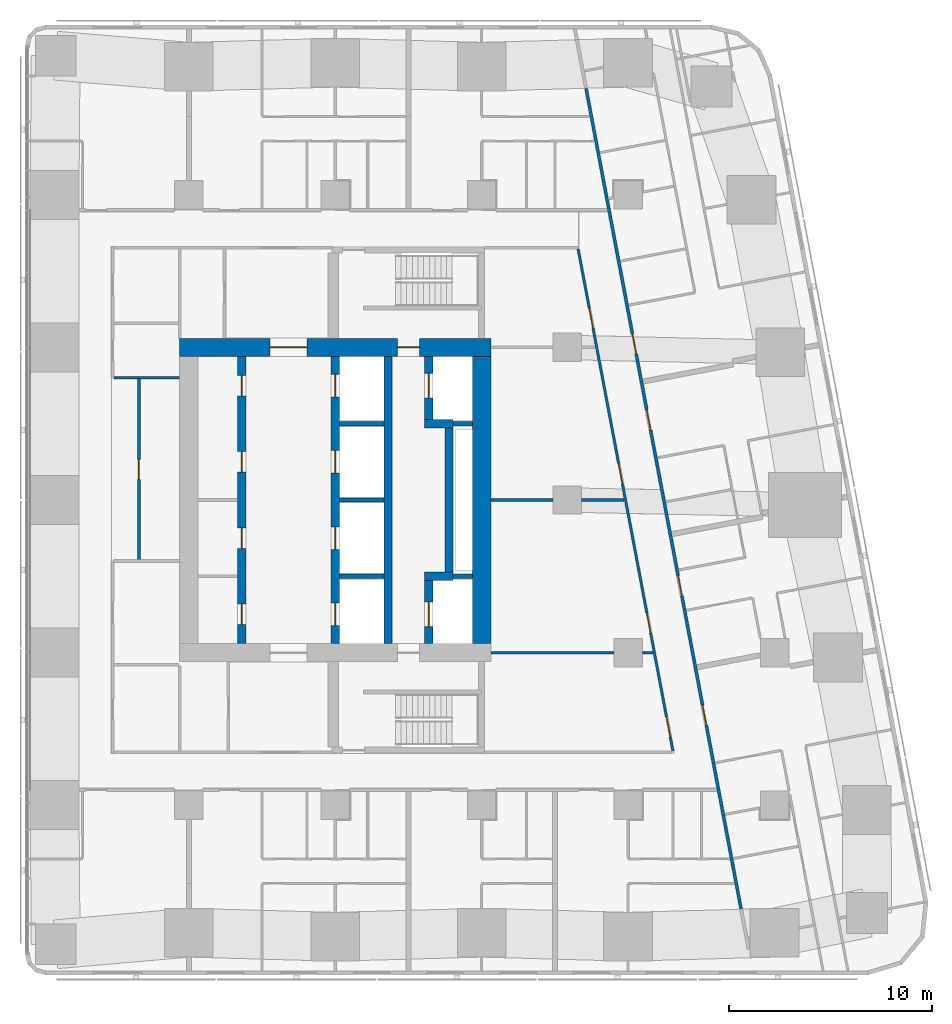
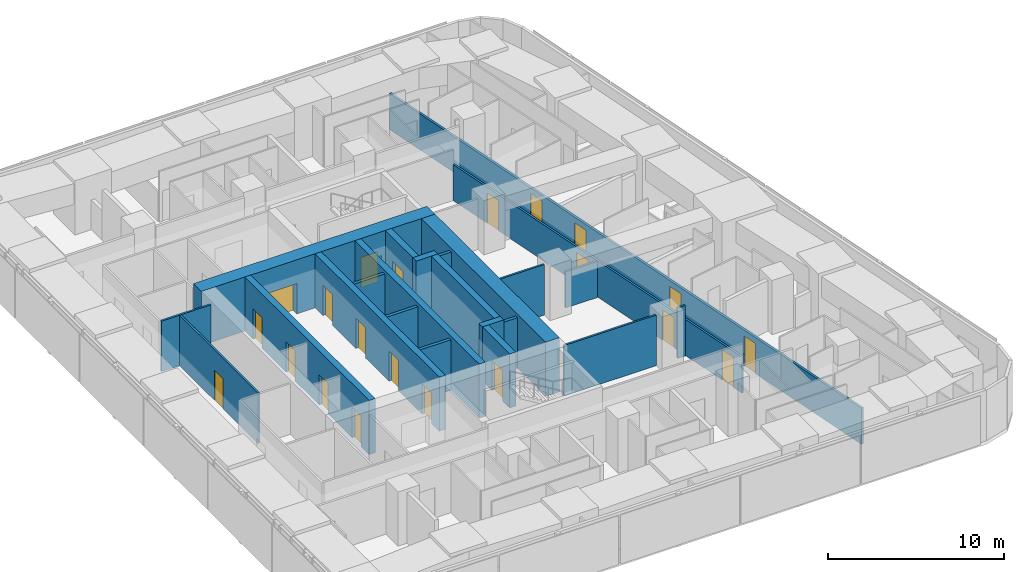
# One storey, part 12 of 19: 23 walls, 21 doors, 21 openings.
"""IFC4 building model written with IfcOpenShell, lengths in metres."""

from ifc_helpers import new_model, si_unit, direction, frame, frame_2d, origin, place, context, subcontext, project, spatial, rectangle, extrude, material, layer, layer_set, type_object, element, fill, save


model = new_model("IFC4")

# Units and contexts
model_context = context("Model", 3, precision=1e-05, world=origin(), true_north=direction((0.0, 1.0)))
body_context = subcontext(model_context, "Body", "Model", "MODEL_VIEW")
ifc_project = project(units=[si_unit("LENGTHUNIT", "METRE"), si_unit("AREAUNIT", "SQUARE_METRE"), si_unit("VOLUMEUNIT", "CUBIC_METRE"), si_unit("PLANEANGLEUNIT", "RADIAN"), si_unit("MASSUNIT", "GRAM", prefix="KILO")], contexts=[model_context])

# Site, building, storey
site_placement = place(None, origin())
site = spatial("IfcSite", under=ifc_project, at=site_placement, CompositionType="ELEMENT")
building_placement = place(site_placement, origin())
building = spatial("IfcBuilding", under=site, at=building_placement, Name="Sheger Commons Tower", CompositionType="ELEMENT")
storey_placement = place(building_placement, frame((0.0, 0.0, 216.199951171875)))
storey = spatial("IfcBuildingStorey", under=building, at=storey_placement, Name="L55", CompositionType="ELEMENT", Elevation=216.199951171875)

# Wall, openings, doors
ifc_material_1 = material(Name="Concrete C50/60", Category="concrete")
ifc_layer_1 = layer(ifc_material_1, 0.39990234375)
ifc_layer_set_1 = layer_set([ifc_layer_1], Name="CORE INNER WALL 400")
wall_type_1 = type_object("IfcWallType", Name="CORE INNER WALL 400", PredefinedType="SHEAR", material=ifc_layer_set_1)
wall_1_placement = place(storey_placement, frame((17.0, 15.449951171875, 0.0), z_axis=(0.0, 0.0, 1.0), x_axis=(0.0, 1.0, 0.0)))
wall_1 = element("IfcWall", 1, at=wall_1_placement, inside=storey, type_object=wall_type_1, Name="Core inner wall A L55", PredefinedType="SHEAR", context=body_context, shape_type="SweptSolid", body=[
    extrude(rectangle(XDim=14.10009765625, YDim=0.39990234375, at=frame_2d((7.050048828125, 0.0))), origin(), (0.0, 0.0, 1.0), 3.75),
])
opening_1_placement = place(wall_1_placement, frame((0.925048828125, 0.0, 0.0)))
opening_1 = element("IfcOpeningElement", 2, at=opening_1_placement, cuts=wall_1, Name="Opening D4", PredefinedType="OPENING", context=body_context, shape_type="SweptSolid", body=[
    extrude(rectangle(XDim=1.0, YDim=2.10009765625, at=frame_2d((0.5, 1.050048828125))), frame((0.0, 0.2099609375, 0.0), z_axis=(0.0, -1.0, 0.0), x_axis=(1.0, 0.0, 0.0)), (0.0, 0.0, 1.0), 0.419921875),
])
opening_2_placement = place(wall_1_placement, frame((4.675048828125, 0.0, 0.0)))
opening_2 = element("IfcOpeningElement", 3, at=opening_2_placement, cuts=wall_1, Name="Opening D4", PredefinedType="OPENING", context=body_context, shape_type="SweptSolid", body=[
    extrude(rectangle(XDim=1.0, YDim=2.10009765625, at=frame_2d((0.5, 1.050048828125))), frame((0.0, 0.2099609375, 0.0), z_axis=(0.0, -1.0, 0.0), x_axis=(1.0, 0.0, 0.0)), (0.0, 0.0, 1.0), 0.419921875),
])
opening_3_placement = place(wall_1_placement, frame((8.425048828125, 0.0, 0.0)))
opening_3 = element("IfcOpeningElement", 4, at=opening_3_placement, cuts=wall_1, Name="Opening D4", PredefinedType="OPENING", context=body_context, shape_type="SweptSolid", body=[
    extrude(rectangle(XDim=1.0, YDim=2.10009765625, at=frame_2d((0.5, 1.050048828125))), frame((0.0, 0.2099609375, 0.0), z_axis=(0.0, -1.0, 0.0), x_axis=(1.0, 0.0, 0.0)), (0.0, 0.0, 1.0), 0.419921875),
])
opening_4_placement = place(wall_1_placement, frame((12.175048828125, 0.0, 0.0)))
opening_4 = element("IfcOpeningElement", 5, at=opening_4_placement, cuts=wall_1, Name="Opening D4", PredefinedType="OPENING", context=body_context, shape_type="SweptSolid", body=[
    extrude(rectangle(XDim=1.0, YDim=2.10009765625, at=frame_2d((0.5, 1.050048828125))), frame((0.0, 0.2099609375, 0.0), z_axis=(0.0, -1.0, 0.0), x_axis=(1.0, 0.0, 0.0)), (0.0, 0.0, 1.0), 0.419921875),
])
ifc_material_2 = material(Name="Steel door set, fire rated", Category="steel")
door_type_1 = type_object("IfcDoorType", Name="SERVICE DOOR 1000x2100", OperationType="NOTDEFINED", PredefinedType="DOOR", material=ifc_material_2)
door_1_placement = place(opening_1_placement, origin())
door_1 = element("IfcDoor", 6, at=door_1_placement, inside=storey, type_object=door_type_1, Name="Staff WC door", OperationType="SINGLE_SWING_LEFT", OverallHeight=2.10009765625, OverallWidth=1.0, PredefinedType="DOOR", context=body_context, shape_type="SweptSolid", body=[
    extrude(rectangle(XDim=1.0, YDim=2.10009765625, at=frame_2d((0.5, 1.050048828125))), frame((0.0, 0.02490234375, 0.0), z_axis=(0.0, -1.0, 0.0), x_axis=(1.0, 0.0, 0.0)), (0.0, 0.0, 1.0), 0.050048828125),
])
fill(opening_1, door_1)
door_2_placement = place(opening_2_placement, origin())
door_2 = element("IfcDoor", 7, at=door_2_placement, inside=storey, type_object=door_type_1, Name="Cleaner's store door", OperationType="SINGLE_SWING_LEFT", OverallHeight=2.10009765625, OverallWidth=1.0, PredefinedType="DOOR", context=body_context, shape_type="SweptSolid", body=[
    extrude(rectangle(XDim=1.0, YDim=2.10009765625, at=frame_2d((0.5, 1.050048828125))), frame((0.0, 0.02490234375, 0.0), z_axis=(0.0, -1.0, 0.0), x_axis=(1.0, 0.0, 0.0)), (0.0, 0.0, 1.0), 0.050048828125),
])
fill(opening_2, door_2)
door_3_placement = place(opening_3_placement, origin())
door_3 = element("IfcDoor", 8, at=door_3_placement, inside=storey, type_object=door_type_1, Name="Linen and housekeeping store door", OperationType="SINGLE_SWING_LEFT", OverallHeight=2.10009765625, OverallWidth=1.0, PredefinedType="DOOR", context=body_context, shape_type="SweptSolid", body=[
    extrude(rectangle(XDim=1.0, YDim=2.10009765625, at=frame_2d((0.5, 1.050048828125))), frame((0.0, 0.02490234375, 0.0), z_axis=(0.0, -1.0, 0.0), x_axis=(1.0, 0.0, 0.0)), (0.0, 0.0, 1.0), 0.050048828125),
])
fill(opening_3, door_3)
door_4_placement = place(opening_4_placement, origin())
door_4 = element("IfcDoor", 9, at=door_4_placement, inside=storey, type_object=door_type_1, Name="Linen and housekeeping store door", OperationType="SINGLE_SWING_RIGHT", OverallHeight=2.10009765625, OverallWidth=1.0, PredefinedType="DOOR", context=body_context, shape_type="SweptSolid", body=[
    extrude(rectangle(XDim=1.0, YDim=2.10009765625, at=frame_2d((0.5, 1.050048828125))), frame((0.0, 0.02490234375, 0.0), z_axis=(0.0, -1.0, 0.0), x_axis=(1.0, 0.0, 0.0)), (0.0, 0.0, 1.0), 0.050048828125),
])
fill(opening_4, door_4)

wall_2_placement = place(storey_placement, frame((21.60009765625, 15.449951171875, 0.0), z_axis=(0.0, 0.0, 1.0), x_axis=(0.0, 1.0, 0.0)))
wall_2 = element("IfcWall", 10, at=wall_2_placement, inside=storey, type_object=wall_type_1, Name="Core inner wall L L55", PredefinedType="SHEAR", context=body_context, shape_type="SweptSolid", body=[
    extrude(rectangle(XDim=14.10009765625, YDim=0.39990234375, at=frame_2d((7.050048828125, 0.0))), origin(), (0.0, 0.0, 1.0), 3.75),
])
opening_5_placement = place(wall_2_placement, frame((0.875, 0.0, 0.0)))
opening_5 = element("IfcOpeningElement", 11, at=opening_5_placement, cuts=wall_2, Name="Opening LD", PredefinedType="OPENING", context=body_context, shape_type="SweptSolid", body=[
    extrude(rectangle(XDim=1.10009765625, YDim=2.10009765625, at=frame_2d((0.550048828125, 1.050048828125))), frame((0.0, 0.2099609375, 0.0), z_axis=(0.0, -1.0, 0.0), x_axis=(1.0, 0.0, 0.0)), (0.0, 0.0, 1.0), 0.419921875),
])
opening_6_placement = place(wall_2_placement, frame((4.625, 0.0, 0.0)))
opening_6 = element("IfcOpeningElement", 12, at=opening_6_placement, cuts=wall_2, Name="Opening LD", PredefinedType="OPENING", context=body_context, shape_type="SweptSolid", body=[
    extrude(rectangle(XDim=1.10009765625, YDim=2.10009765625, at=frame_2d((0.550048828125, 1.050048828125))), frame((0.0, 0.2099609375, 0.0), z_axis=(0.0, -1.0, 0.0), x_axis=(1.0, 0.0, 0.0)), (0.0, 0.0, 1.0), 0.419921875),
])
opening_7_placement = place(wall_2_placement, frame((8.375, 0.0, 0.0)))
opening_7 = element("IfcOpeningElement", 13, at=opening_7_placement, cuts=wall_2, Name="Opening LD", PredefinedType="OPENING", context=body_context, shape_type="SweptSolid", body=[
    extrude(rectangle(XDim=1.10009765625, YDim=2.10009765625, at=frame_2d((0.550048828125, 1.050048828125))), frame((0.0, 0.2099609375, 0.0), z_axis=(0.0, -1.0, 0.0), x_axis=(1.0, 0.0, 0.0)), (0.0, 0.0, 1.0), 0.419921875),
])
opening_8_placement = place(wall_2_placement, frame((12.125, 0.0, 0.0)))
opening_8 = element("IfcOpeningElement", 14, at=opening_8_placement, cuts=wall_2, Name="Opening LD", PredefinedType="OPENING", context=body_context, shape_type="SweptSolid", body=[
    extrude(rectangle(XDim=1.10009765625, YDim=2.10009765625, at=frame_2d((0.550048828125, 1.050048828125))), frame((0.0, 0.2099609375, 0.0), z_axis=(0.0, -1.0, 0.0), x_axis=(1.0, 0.0, 0.0)), (0.0, 0.0, 1.0), 0.419921875),
])
ifc_material_3 = material(Name="Steel door set, fire rated", Category="steel")
door_type_2 = type_object("IfcDoorType", Name="LIFT LANDING DOOR 1100x2100", OperationType="DOUBLE_DOOR_SLIDING", PredefinedType="DOOR", material=ifc_material_3)
door_5_placement = place(opening_5_placement, origin())
door_5 = element("IfcDoor", 15, at=door_5_placement, inside=storey, type_object=door_type_2, Name="Lift LB1 landing door", OperationType="DOUBLE_DOOR_SLIDING", OverallHeight=2.10009765625, OverallWidth=1.10009765625, PredefinedType="DOOR", context=body_context, shape_type="SweptSolid", body=[
    extrude(rectangle(XDim=1.10009765625, YDim=2.10009765625, at=frame_2d((0.550048828125, 1.050048828125))), frame((0.0, 0.02490234375, 0.0), z_axis=(0.0, -1.0, 0.0), x_axis=(1.0, 0.0, 0.0)), (0.0, 0.0, 1.0), 0.050048828125),
])
fill(opening_5, door_5)
door_6_placement = place(opening_6_placement, origin())
door_6 = element("IfcDoor", 16, at=door_6_placement, inside=storey, type_object=door_type_2, Name="Lift LB2 landing door", OperationType="DOUBLE_DOOR_SLIDING", OverallHeight=2.10009765625, OverallWidth=1.10009765625, PredefinedType="DOOR", context=body_context, shape_type="SweptSolid", body=[
    extrude(rectangle(XDim=1.10009765625, YDim=2.10009765625, at=frame_2d((0.550048828125, 1.050048828125))), frame((0.0, 0.02490234375, 0.0), z_axis=(0.0, -1.0, 0.0), x_axis=(1.0, 0.0, 0.0)), (0.0, 0.0, 1.0), 0.050048828125),
])
fill(opening_6, door_6)
door_7_placement = place(opening_7_placement, origin())
door_7 = element("IfcDoor", 17, at=door_7_placement, inside=storey, type_object=door_type_2, Name="Lift LB3 landing door", OperationType="DOUBLE_DOOR_SLIDING", OverallHeight=2.10009765625, OverallWidth=1.10009765625, PredefinedType="DOOR", context=body_context, shape_type="SweptSolid", body=[
    extrude(rectangle(XDim=1.10009765625, YDim=2.10009765625, at=frame_2d((0.550048828125, 1.050048828125))), frame((0.0, 0.02490234375, 0.0), z_axis=(0.0, -1.0, 0.0), x_axis=(1.0, 0.0, 0.0)), (0.0, 0.0, 1.0), 0.050048828125),
])
fill(opening_7, door_7)
door_8_placement = place(opening_8_placement, origin())
door_8 = element("IfcDoor", 18, at=door_8_placement, inside=storey, type_object=door_type_2, Name="Lift LB4 landing door", OperationType="DOUBLE_DOOR_SLIDING", OverallHeight=2.10009765625, OverallWidth=1.10009765625, PredefinedType="DOOR", context=body_context, shape_type="SweptSolid", body=[
    extrude(rectangle(XDim=1.10009765625, YDim=2.10009765625, at=frame_2d((0.550048828125, 1.050048828125))), frame((0.0, 0.02490234375, 0.0), z_axis=(0.0, -1.0, 0.0), x_axis=(1.0, 0.0, 0.0)), (0.0, 0.0, 1.0), 0.050048828125),
])
fill(opening_8, door_8)

# Wall
wall_3_placement = place(storey_placement, frame((24.199951171875, 15.449951171875, 0.0), z_axis=(0.0, 0.0, 1.0), x_axis=(0.0, 1.0, 0.0)))
element("IfcWall", 19, at=wall_3_placement, inside=storey, type_object=wall_type_1, Name="Core inner wall B L55", PredefinedType="SHEAR", context=body_context, shape_type="SweptSolid", body=[
    extrude(rectangle(XDim=14.10009765625, YDim=0.39990234375, at=frame_2d((7.050048828125, 0.0))), origin(), (0.0, 0.0, 1.0), 3.75),
])

# Wall, opening, door
wall_4_placement = place(storey_placement, frame((26.199951171875, 15.449951171875, 0.0), z_axis=(0.0, 0.0, 1.0), x_axis=(0.0, 1.0, 0.0)))
wall_4 = element("IfcWall", 20, at=wall_4_placement, inside=storey, type_object=wall_type_1, Name="Core inner wall F L55", PredefinedType="SHEAR", context=body_context, shape_type="SweptSolid", body=[
    extrude(rectangle(XDim=3.10009765625, YDim=0.39990234375, at=frame_2d((1.550048828125, 0.0))), origin(), (0.0, 0.0, 1.0), 3.75),
])
opening_9_placement = place(wall_4_placement, frame((0.824951171875, 0.0, 0.0)))
opening_9 = element("IfcOpeningElement", 21, at=opening_9_placement, cuts=wall_4, Name="Opening LD2", PredefinedType="OPENING", context=body_context, shape_type="SweptSolid", body=[
    extrude(rectangle(XDim=1.199951171875, YDim=2.10009765625, at=frame_2d((0.60009765625, 1.050048828125))), frame((0.0, 0.2099609375, 0.0), z_axis=(0.0, -1.0, 0.0), x_axis=(1.0, 0.0, 0.0)), (0.0, 0.0, 1.0), 0.419921875),
])
ifc_material_4 = material(Name="Steel door set, fire rated", Category="steel")
door_type_3 = type_object("IfcDoorType", Name="FIREFIGHTING LIFT LANDING DOOR 1200x2100", OperationType="DOUBLE_DOOR_SLIDING", PredefinedType="DOOR", material=ifc_material_4)
door_9_placement = place(opening_9_placement, origin())
door_9 = element("IfcDoor", 22, at=door_9_placement, inside=storey, type_object=door_type_3, Name="Lift FL1 landing door", OperationType="DOUBLE_DOOR_SLIDING", OverallHeight=2.10009765625, OverallWidth=1.199951171875, PredefinedType="DOOR", context=body_context, shape_type="SweptSolid", body=[
    extrude(rectangle(XDim=1.199951171875, YDim=2.10009765625, at=frame_2d((0.60009765625, 1.050048828125))), frame((0.0, 0.02490234375, 0.0), z_axis=(0.0, -1.0, 0.0), x_axis=(1.0, 0.0, 0.0)), (0.0, 0.0, 1.0), 0.050048828125),
])
fill(opening_9, door_9)

# Walls
wall_5_placement = place(storey_placement, frame((26.0, 18.75, 0.0), z_axis=(0.0, 0.0, 1.0), x_axis=(1.0, 0.0, 0.0)))
element("IfcWall", 23, at=wall_5_placement, inside=storey, type_object=wall_type_1, Name="Core inner wall F south return L55", PredefinedType="SHEAR", context=body_context, shape_type="SweptSolid", body=[
    extrude(rectangle(XDim=1.39990234375, YDim=0.39990234375, at=frame_2d((0.699951171875, 0.0))), origin(), (0.0, 0.0, 1.0), 3.75),
])
wall_6_placement = place(storey_placement, frame((27.199951171875, 18.949951171875, 0.0), z_axis=(0.0, 0.0, 1.0), x_axis=(0.0, 1.0, 0.0)))
element("IfcWall", 24, at=wall_6_placement, inside=storey, type_object=wall_type_1, Name="Core inner wall F middle L55", PredefinedType="SHEAR", context=body_context, shape_type="SweptSolid", body=[
    extrude(rectangle(XDim=7.10009765625, YDim=0.39990234375, at=frame_2d((3.550048828125, 0.0))), origin(), (0.0, 0.0, 1.0), 3.75),
])
wall_7_placement = place(storey_placement, frame((26.0, 26.25, 0.0), z_axis=(0.0, 0.0, 1.0), x_axis=(1.0, 0.0, 0.0)))
element("IfcWall", 25, at=wall_7_placement, inside=storey, type_object=wall_type_1, Name="Core inner wall F north return L55", PredefinedType="SHEAR", context=body_context, shape_type="SweptSolid", body=[
    extrude(rectangle(XDim=1.39990234375, YDim=0.39990234375, at=frame_2d((0.699951171875, 0.0))), origin(), (0.0, 0.0, 1.0), 3.75),
])

# Wall, opening, door
wall_8_placement = place(storey_placement, frame((26.199951171875, 26.449951171875, 0.0), z_axis=(0.0, 0.0, 1.0), x_axis=(0.0, 1.0, 0.0)))
wall_8 = element("IfcWall", 26, at=wall_8_placement, inside=storey, type_object=wall_type_1, Name="Core inner wall F north L55", PredefinedType="SHEAR", context=body_context, shape_type="SweptSolid", body=[
    extrude(rectangle(XDim=3.10009765625, YDim=0.39990234375, at=frame_2d((1.550048828125, 0.0))), origin(), (0.0, 0.0, 1.0), 3.75),
])
opening_10_placement = place(wall_8_placement, frame((1.074951171875, 0.0, 0.0)))
opening_10 = element("IfcOpeningElement", 27, at=opening_10_placement, cuts=wall_8, Name="Opening LD2", PredefinedType="OPENING", context=body_context, shape_type="SweptSolid", body=[
    extrude(rectangle(XDim=1.199951171875, YDim=2.10009765625, at=frame_2d((0.60009765625, 1.050048828125))), frame((0.0, 0.2099609375, 0.0), z_axis=(0.0, -1.0, 0.0), x_axis=(1.0, 0.0, 0.0)), (0.0, 0.0, 1.0), 0.419921875),
])
door_10_placement = place(opening_10_placement, origin())
door_10 = element("IfcDoor", 28, at=door_10_placement, inside=storey, type_object=door_type_3, Name="Lift FL2 landing door", OperationType="DOUBLE_DOOR_SLIDING", OverallHeight=2.10009765625, OverallWidth=1.199951171875, PredefinedType="DOOR", context=body_context, shape_type="SweptSolid", body=[
    extrude(rectangle(XDim=1.199951171875, YDim=2.10009765625, at=frame_2d((0.60009765625, 1.050048828125))), frame((0.0, 0.02490234375, 0.0), z_axis=(0.0, -1.0, 0.0), x_axis=(1.0, 0.0, 0.0)), (0.0, 0.0, 1.0), 0.050048828125),
])
fill(opening_10, door_10)

# Wall, openings, doors
ifc_material_5 = material(Name="Concrete C50/60", Category="concrete")
ifc_layer_2 = layer(ifc_material_5, 0.89990234375)
ifc_layer_set_2 = layer_set([ifc_layer_2], Name="CORE WALL 900")
wall_type_2 = type_object("IfcWallType", Name="CORE WALL 900", PredefinedType="SHEAR", material=ifc_layer_set_2)
wall_9_placement = place(storey_placement, frame((13.949951171875, 30.0, 0.0), z_axis=(0.0, 0.0, 1.0), x_axis=(1.0, 0.0, 0.0)))
wall_9 = element("IfcWall", 29, at=wall_9_placement, inside=storey, type_object=wall_type_2, Name="Core wall north L55", PredefinedType="SHEAR", context=body_context, shape_type="SweptSolid", body=[
    extrude(rectangle(XDim=15.300048828125, YDim=0.89990234375, at=frame_2d((7.64990234375, 0.0))), origin(), (0.0, 0.0, 1.0), 3.75),
])
opening_11_placement = place(wall_9_placement, frame((4.449951171875, 0.0, 0.0)))
opening_11 = element("IfcOpeningElement", 30, at=opening_11_placement, cuts=wall_9, Name="Opening D6", PredefinedType="OPENING", context=body_context, shape_type="SweptSolid", body=[
    extrude(rectangle(XDim=1.800048828125, YDim=2.10009765625, at=frame_2d((0.89990234375, 1.050048828125))), frame((0.0, 0.4599609375, 0.0), z_axis=(0.0, -1.0, 0.0), x_axis=(1.0, 0.0, 0.0)), (0.0, 0.0, 1.0), 0.919921875),
])
opening_12_placement = place(wall_9_placement, frame((10.699951171875, 0.0, 0.0)))
opening_12 = element("IfcOpeningElement", 31, at=opening_12_placement, cuts=wall_9, Name="Opening D5", PredefinedType="OPENING", context=body_context, shape_type="SweptSolid", body=[
    extrude(rectangle(XDim=1.10009765625, YDim=2.10009765625, at=frame_2d((0.550048828125, 1.050048828125))), frame((0.0, 0.4599609375, 0.0), z_axis=(0.0, -1.0, 0.0), x_axis=(1.0, 0.0, 0.0)), (0.0, 0.0, 1.0), 0.919921875),
])
ifc_material_6 = material(Name="Steel door set, fire rated", Category="steel")
door_type_4 = type_object("IfcDoorType", Name="LOBBY DOUBLE DOOR 1800x2100", OperationType="DOUBLE_DOOR_SINGLE_SWING", PredefinedType="DOOR", material=ifc_material_6)
door_11_placement = place(opening_11_placement, origin())
door_11 = element("IfcDoor", 32, at=door_11_placement, inside=storey, type_object=door_type_4, Name="Lift lobby door", OperationType="DOUBLE_DOOR_SINGLE_SWING", OverallHeight=2.10009765625, OverallWidth=1.800048828125, PredefinedType="DOOR", context=body_context, shape_type="SweptSolid", body=[
    extrude(rectangle(XDim=1.800048828125, YDim=2.10009765625, at=frame_2d((0.89990234375, 1.050048828125))), frame((0.0, 0.02490234375, 0.0), z_axis=(0.0, -1.0, 0.0), x_axis=(1.0, 0.0, 0.0)), (0.0, 0.0, 1.0), 0.050048828125),
])
fill(opening_11, door_11)
ifc_material_7 = material(Name="Steel door set, fire rated", Category="steel")
door_type_5 = type_object("IfcDoorType", Name="STAIR DOOR 1100x2100", OperationType="NOTDEFINED", PredefinedType="DOOR", material=ifc_material_7)
door_12_placement = place(opening_12_placement, origin())
door_12 = element("IfcDoor", 33, at=door_12_placement, inside=storey, type_object=door_type_5, Name="Fire-fighting lobby door", OperationType="SINGLE_SWING_LEFT", OverallHeight=2.10009765625, OverallWidth=1.10009765625, PredefinedType="DOOR", context=body_context, shape_type="SweptSolid", body=[
    extrude(rectangle(XDim=1.10009765625, YDim=2.10009765625, at=frame_2d((0.550048828125, 1.050048828125))), frame((0.0, 0.02490234375, 0.0), z_axis=(0.0, -1.0, 0.0), x_axis=(1.0, 0.0, 0.0)), (0.0, 0.0, 1.0), 0.050048828125),
])
fill(opening_12, door_12)

# Wall
wall_10_placement = place(storey_placement, frame((28.800048828125, 15.449951171875, 0.0), z_axis=(0.0, 0.0, 1.0), x_axis=(0.0, 1.0, 0.0)))
element("IfcWall", 34, at=wall_10_placement, inside=storey, type_object=wall_type_2, Name="Core wall east L55", PredefinedType="SHEAR", context=body_context, shape_type="SweptSolid", body=[
    extrude(rectangle(XDim=14.10009765625, YDim=0.89990234375, at=frame_2d((7.050048828125, 0.0))), origin(), (0.0, 0.0, 1.0), 3.75),
])

# Wall, openings, doors
ifc_material_8 = material(Name="Hollow concrete block masonry, skimmed both sides", Category="masonry")
ifc_layer_3 = layer(ifc_material_8, 0.14990234375)
ifc_layer_set_3 = layer_set([ifc_layer_3], Name="CORRIDOR WALL 150")
wall_type_3 = type_object("IfcWallType", Name="CORRIDOR WALL 150", PredefinedType="SOLIDWALL", material=ifc_layer_set_3)
wall_11_placement = place(storey_placement, frame((33.93310546875, 42.72998046875, 0.0), z_axis=(0.0, 0.0, 1.0), x_axis=(0.185595417643, -0.982626246825, 0.0)))
wall_11 = element("IfcWall", 35, at=wall_11_placement, inside=storey, type_object=wall_type_3, Name="Corridor wall L55", PredefinedType="SOLIDWALL", context=body_context, shape_type="SweptSolid", body=[
    extrude(rectangle(XDim=41.051025390625, YDim=0.14990234375, at=frame_2d((20.525390625, 0.0))), origin(), (0.0, 0.0, 1.0), 2.5),
])
opening_13_placement = place(wall_11_placement, frame((12.26611328125, 0.0, 0.0)))
opening_13 = element("IfcOpeningElement", 36, at=opening_13_placement, cuts=wall_11, Name="Opening D1", PredefinedType="OPENING", context=body_context, shape_type="SweptSolid", body=[
    extrude(rectangle(XDim=1.0, YDim=2.10009765625, at=frame_2d((0.5, 1.050048828125))), frame((0.0, 0.0849609375, 0.0), z_axis=(0.0, -1.0, 0.0), x_axis=(1.0, 0.0, 0.0)), (0.0, 0.0, 1.0), 0.169921875),
])
opening_14_placement = place(wall_11_placement, frame((16.08203125, 0.0, 0.0)))
opening_14 = element("IfcOpeningElement", 37, at=opening_14_placement, cuts=wall_11, Name="Opening D1", PredefinedType="OPENING", context=body_context, shape_type="SweptSolid", body=[
    extrude(rectangle(XDim=1.0, YDim=2.10009765625, at=frame_2d((0.5, 1.050048828125))), frame((0.0, 0.0849609375, 0.0), z_axis=(0.0, -1.0, 0.0), x_axis=(1.0, 0.0, 0.0)), (0.0, 0.0, 1.0), 0.169921875),
])
opening_15_placement = place(wall_11_placement, frame((24.368896484375, 0.0, 0.0)))
opening_15 = element("IfcOpeningElement", 38, at=opening_15_placement, cuts=wall_11, Name="Opening D1", PredefinedType="OPENING", context=body_context, shape_type="SweptSolid", body=[
    extrude(rectangle(XDim=1.0, YDim=2.10009765625, at=frame_2d((0.5, 1.050048828125))), frame((0.0, 0.0849609375, 0.0), z_axis=(0.0, -1.0, 0.0), x_axis=(1.0, 0.0, 0.0)), (0.0, 0.0, 1.0), 0.169921875),
])
opening_16_placement = place(wall_11_placement, frame((30.862060546875, 0.0, 0.0)))
opening_16 = element("IfcOpeningElement", 39, at=opening_16_placement, cuts=wall_11, Name="Opening D1", PredefinedType="OPENING", context=body_context, shape_type="SweptSolid", body=[
    extrude(rectangle(XDim=1.0, YDim=2.10009765625, at=frame_2d((0.5, 1.050048828125))), frame((0.0, 0.0849609375, 0.0), z_axis=(0.0, -1.0, 0.0), x_axis=(1.0, 0.0, 0.0)), (0.0, 0.0, 1.0), 0.169921875),
])
ifc_material_9 = material(Name="Steel door set, fire rated", Category="steel")
door_type_6 = type_object("IfcDoorType", Name="FLAT ENTRANCE DOOR 1000x2100", OperationType="NOTDEFINED", PredefinedType="DOOR", material=ifc_material_9)
door_13_placement = place(opening_13_placement, origin())
door_13 = element("IfcDoor", 40, at=door_13_placement, inside=storey, type_object=door_type_6, Name="Flat entrance door", OperationType="SINGLE_SWING_LEFT", OverallHeight=2.10009765625, OverallWidth=1.0, PredefinedType="DOOR", context=body_context, shape_type="SweptSolid", body=[
    extrude(rectangle(XDim=1.0, YDim=2.10009765625, at=frame_2d((0.5, 1.050048828125))), frame((0.0, 0.02490234375, 0.0), z_axis=(0.0, -1.0, 0.0), x_axis=(1.0, 0.0, 0.0)), (0.0, 0.0, 1.0), 0.050048828125),
])
fill(opening_13, door_13)
door_14_placement = place(opening_14_placement, origin())
door_14 = element("IfcDoor", 41, at=door_14_placement, inside=storey, type_object=door_type_6, Name="Flat entrance door", OperationType="SINGLE_SWING_RIGHT", OverallHeight=2.10009765625, OverallWidth=1.0, PredefinedType="DOOR", context=body_context, shape_type="SweptSolid", body=[
    extrude(rectangle(XDim=1.0, YDim=2.10009765625, at=frame_2d((0.5, 1.050048828125))), frame((0.0, 0.02490234375, 0.0), z_axis=(0.0, -1.0, 0.0), x_axis=(1.0, 0.0, 0.0)), (0.0, 0.0, 1.0), 0.050048828125),
])
fill(opening_14, door_14)
door_15_placement = place(opening_15_placement, origin())
door_15 = element("IfcDoor", 42, at=door_15_placement, inside=storey, type_object=door_type_6, Name="Flat entrance door", OperationType="SINGLE_SWING_LEFT", OverallHeight=2.10009765625, OverallWidth=1.0, PredefinedType="DOOR", context=body_context, shape_type="SweptSolid", body=[
    extrude(rectangle(XDim=1.0, YDim=2.10009765625, at=frame_2d((0.5, 1.050048828125))), frame((0.0, 0.02490234375, 0.0), z_axis=(0.0, -1.0, 0.0), x_axis=(1.0, 0.0, 0.0)), (0.0, 0.0, 1.0), 0.050048828125),
])
fill(opening_15, door_15)
door_16_placement = place(opening_16_placement, origin())
door_16 = element("IfcDoor", 43, at=door_16_placement, inside=storey, type_object=door_type_6, Name="Flat entrance door", OperationType="SINGLE_SWING_LEFT", OverallHeight=2.10009765625, OverallWidth=1.0, PredefinedType="DOOR", context=body_context, shape_type="SweptSolid", body=[
    extrude(rectangle(XDim=1.0, YDim=2.10009765625, at=frame_2d((0.5, 1.050048828125))), frame((0.0, 0.02490234375, 0.0), z_axis=(0.0, -1.0, 0.0), x_axis=(1.0, 0.0, 0.0)), (0.0, 0.0, 1.0), 0.050048828125),
])
fill(opening_16, door_16)

# Wall, opening, door
ifc_material_10 = material(Name="Gypsum board on steel studs, two layers each side, fire rated", Category="steel")
ifc_layer_4 = layer(ifc_material_10, 0.125)
ifc_layer_set_4 = layer_set([ifc_layer_4], Name="SERVICE WALL 125")
wall_type_4 = type_object("IfcWallType", Name="SERVICE WALL 125", PredefinedType="PARTITIONING", material=ifc_layer_set_4)
wall_12_placement = place(storey_placement, frame((11.949951171875, 19.56201171875, 0.0), z_axis=(0.0, 0.0, 1.0), x_axis=(0.0, 1.0, 0.0)))
wall_12 = element("IfcWall", 44, at=wall_12_placement, inside=storey, type_object=wall_type_4, Name="Service room wall L55", PredefinedType="PARTITIONING", context=body_context, shape_type="SweptSolid", body=[
    extrude(rectangle(XDim=8.8759765625, YDim=0.125, at=frame_2d((4.43798828125, 0.0))), origin(), (0.0, 0.0, 1.0), 3.5),
])
opening_17_placement = place(wall_12_placement, frame((3.93798828125, 0.0, 0.0)))
opening_17 = element("IfcOpeningElement", 45, at=opening_17_placement, cuts=wall_12, Name="Opening D4", PredefinedType="OPENING", context=body_context, shape_type="SweptSolid", body=[
    extrude(rectangle(XDim=1.0, YDim=2.10009765625, at=frame_2d((0.5, 1.050048828125))), frame((0.0, 0.072509765625, 0.0), z_axis=(0.0, -1.0, 0.0), x_axis=(1.0, 0.0, 0.0)), (0.0, 0.0, 1.0), 0.14501953125),
])
door_17_placement = place(opening_17_placement, origin())
door_17 = element("IfcDoor", 46, at=door_17_placement, inside=storey, type_object=door_type_1, Name="Residents' hobby room door", OperationType="SINGLE_SWING_LEFT", OverallHeight=2.10009765625, OverallWidth=1.0, PredefinedType="DOOR", context=body_context, shape_type="SweptSolid", body=[
    extrude(rectangle(XDim=1.0, YDim=2.10009765625, at=frame_2d((0.5, 1.050048828125))), frame((0.0, 0.02490234375, 0.0), z_axis=(0.0, -1.0, 0.0), x_axis=(1.0, 0.0, 0.0)), (0.0, 0.0, 1.0), 0.050048828125),
])
fill(opening_17, door_17)

# Wall
wall_13_placement = place(storey_placement, frame((10.712890625, 28.5, 0.0), z_axis=(0.0, 0.0, 1.0), x_axis=(1.0, 0.0, 0.0)))
element("IfcWall", 47, at=wall_13_placement, inside=storey, type_object=wall_type_4, Name="Service room wall L55", PredefinedType="PARTITIONING", context=body_context, shape_type="SweptSolid", body=[
    extrude(rectangle(XDim=3.237060546875, YDim=0.125, at=frame_2d((1.61865234375, 0.0))), origin(), (0.0, 0.0, 1.0), 3.5),
])

# Wall, openings, doors
wall_14_placement = place(storey_placement, frame((38.201904296875, 10.1630859375, 0.0), z_axis=(0.0, 0.0, 1.0), x_axis=(-0.185610321132, 0.982623431783, 0.0)))
wall_14 = element("IfcWall", 48, at=wall_14_placement, inside=storey, type_object=wall_type_4, Name="Service room wall L55", PredefinedType="PARTITIONING", context=body_context, shape_type="SweptSolid", body=[
    extrude(rectangle(XDim=25.111083984375, YDim=0.125, at=frame_2d((12.5556640625, 0.0))), origin(), (0.0, 0.0, 1.0), 2.5),
])
opening_18_placement = place(wall_14_placement, frame((0.7080078125, 0.0, 0.0)))
opening_18 = element("IfcOpeningElement", 49, at=opening_18_placement, cuts=wall_14, Name="Opening D4", PredefinedType="OPENING", context=body_context, shape_type="SweptSolid", body=[
    extrude(rectangle(XDim=1.0, YDim=2.10009765625, at=frame_2d((0.5, 1.050048828125))), frame((0.0, 0.072509765625, 0.0), z_axis=(0.0, -1.0, 0.0), x_axis=(1.0, 0.0, 0.0)), (0.0, 0.0, 1.0), 0.14501953125),
])
opening_19_placement = place(wall_14_placement, frame((5.89990234375, 0.0, 0.0)))
opening_19 = element("IfcOpeningElement", 50, at=opening_19_placement, cuts=wall_14, Name="Opening D4", PredefinedType="OPENING", context=body_context, shape_type="SweptSolid", body=[
    extrude(rectangle(XDim=1.0, YDim=2.10009765625, at=frame_2d((0.5, 1.050048828125))), frame((0.0, 0.072509765625, 0.0), z_axis=(0.0, -1.0, 0.0), x_axis=(1.0, 0.0, 0.0)), (0.0, 0.0, 1.0), 0.14501953125),
])
opening_20_placement = place(wall_14_placement, frame((13.3779296875, 0.0, 0.0)))
opening_20 = element("IfcOpeningElement", 51, at=opening_20_placement, cuts=wall_14, Name="Opening D4", PredefinedType="OPENING", context=body_context, shape_type="SweptSolid", body=[
    extrude(rectangle(XDim=1.0, YDim=2.10009765625, at=frame_2d((0.5, 1.050048828125))), frame((0.0, 0.072509765625, 0.0), z_axis=(0.0, -1.0, 0.0), x_axis=(1.0, 0.0, 0.0)), (0.0, 0.0, 1.0), 0.14501953125),
])
opening_21_placement = place(wall_14_placement, frame((21.14990234375, 0.0, 0.0)))
opening_21 = element("IfcOpeningElement", 52, at=opening_21_placement, cuts=wall_14, Name="Opening D4", PredefinedType="OPENING", context=body_context, shape_type="SweptSolid", body=[
    extrude(rectangle(XDim=1.0, YDim=2.10009765625, at=frame_2d((0.5, 1.050048828125))), frame((0.0, 0.072509765625, 0.0), z_axis=(0.0, -1.0, 0.0), x_axis=(1.0, 0.0, 0.0)), (0.0, 0.0, 1.0), 0.14501953125),
])
door_18_placement = place(opening_18_placement, origin())
door_18 = element("IfcDoor", 53, at=door_18_placement, inside=storey, type_object=door_type_1, Name="Residents' study room door", OperationType="SINGLE_SWING_LEFT", OverallHeight=2.10009765625, OverallWidth=1.0, PredefinedType="DOOR", context=body_context, shape_type="SweptSolid", body=[
    extrude(rectangle(XDim=1.0, YDim=2.10009765625, at=frame_2d((0.5, 1.050048828125))), frame((0.0, 0.02490234375, 0.0), z_axis=(0.0, -1.0, 0.0), x_axis=(1.0, 0.0, 0.0)), (0.0, 0.0, 1.0), 0.050048828125),
])
fill(opening_18, door_18)
door_19_placement = place(opening_19_placement, origin())
door_19 = element("IfcDoor", 54, at=door_19_placement, inside=storey, type_object=door_type_1, Name="Bicycle and pram store door", OperationType="SINGLE_SWING_LEFT", OverallHeight=2.10009765625, OverallWidth=1.0, PredefinedType="DOOR", context=body_context, shape_type="SweptSolid", body=[
    extrude(rectangle(XDim=1.0, YDim=2.10009765625, at=frame_2d((0.5, 1.050048828125))), frame((0.0, 0.02490234375, 0.0), z_axis=(0.0, -1.0, 0.0), x_axis=(1.0, 0.0, 0.0)), (0.0, 0.0, 1.0), 0.050048828125),
])
fill(opening_19, door_19)
door_20_placement = place(opening_20_placement, origin())
door_20 = element("IfcDoor", 55, at=door_20_placement, inside=storey, type_object=door_type_1, Name="Residents' store door", OperationType="SINGLE_SWING_LEFT", OverallHeight=2.10009765625, OverallWidth=1.0, PredefinedType="DOOR", context=body_context, shape_type="SweptSolid", body=[
    extrude(rectangle(XDim=1.0, YDim=2.10009765625, at=frame_2d((0.5, 1.050048828125))), frame((0.0, 0.02490234375, 0.0), z_axis=(0.0, -1.0, 0.0), x_axis=(1.0, 0.0, 0.0)), (0.0, 0.0, 1.0), 0.050048828125),
])
fill(opening_20, door_20)
door_21_placement = place(opening_21_placement, origin())
door_21 = element("IfcDoor", 56, at=door_21_placement, inside=storey, type_object=door_type_1, Name="Residents' meeting room door", OperationType="SINGLE_SWING_LEFT", OverallHeight=2.10009765625, OverallWidth=1.0, PredefinedType="DOOR", context=body_context, shape_type="SweptSolid", body=[
    extrude(rectangle(XDim=1.0, YDim=2.10009765625, at=frame_2d((0.5, 1.050048828125))), frame((0.0, 0.02490234375, 0.0), z_axis=(0.0, -1.0, 0.0), x_axis=(1.0, 0.0, 0.0)), (0.0, 0.0, 1.0), 0.050048828125),
])
fill(opening_21, door_21)

# Walls
wall_15_placement = place(storey_placement, frame((29.25, 15.0, 0.0), z_axis=(0.0, 0.0, 1.0), x_axis=(1.0, 0.0, 0.0)))
element("IfcWall", 57, at=wall_15_placement, inside=storey, type_object=wall_type_4, Name="Service room wall L55", PredefinedType="PARTITIONING", context=body_context, shape_type="SweptSolid", body=[
    extrude(rectangle(XDim=6.049072265625, YDim=0.125, at=frame_2d((3.0244140625, 0.0))), origin(), (0.0, 0.0, 1.0), 3.5),
])
wall_16_placement = place(storey_placement, frame((36.700927734375, 15.0, 0.0), z_axis=(0.0, 0.0, 1.0), x_axis=(1.0, 0.0, 0.0)))
element("IfcWall", 58, at=wall_16_placement, inside=storey, type_object=wall_type_4, Name="Service room wall L55", PredefinedType="PARTITIONING", context=body_context, shape_type="SweptSolid", body=[
    extrude(rectangle(XDim=0.511962890625, YDim=0.125, at=frame_2d((0.255859375, 0.0))), origin(), (0.0, 0.0, 1.0), 3.5),
])
wall_17_placement = place(storey_placement, frame((29.25, 22.5, 0.0), z_axis=(0.0, 0.0, 1.0), x_axis=(1.0, 0.0, 0.0)))
element("IfcWall", 59, at=wall_17_placement, inside=storey, type_object=wall_type_4, Name="Service room wall L55", PredefinedType="PARTITIONING", context=body_context, shape_type="SweptSolid", body=[
    extrude(rectangle(XDim=3.049072265625, YDim=0.125, at=frame_2d((1.5244140625, 0.0))), origin(), (0.0, 0.0, 1.0), 3.5),
])
wall_18_placement = place(storey_placement, frame((33.700927734375, 22.5, 0.0), z_axis=(0.0, 0.0, 1.0), x_axis=(1.0, 0.0, 0.0)))
element("IfcWall", 60, at=wall_18_placement, inside=storey, type_object=wall_type_4, Name="Service room wall L55", PredefinedType="PARTITIONING", context=body_context, shape_type="SweptSolid", body=[
    extrude(rectangle(XDim=2.094970703125, YDim=0.125, at=frame_2d((1.04736328125, 0.0))), origin(), (0.0, 0.0, 1.0), 2.5),
])
ifc_material_11 = material(Name="Hollow concrete block masonry", Category="masonry")
ifc_layer_5 = layer(ifc_material_11, 0.199951171875)
ifc_layer_set_5 = layer_set([ifc_layer_5], Name="SHAFT WALL 200")
wall_type_5 = type_object("IfcWallType", Name="SHAFT WALL 200", PredefinedType="SOLIDWALL", material=ifc_layer_set_5)
for number, where, z_axis, x_axis, name in (
    (61, (21.800048828125, 18.75, 0.0), (0.0, 0.0, 1.0), (1.0, 0.0, 0.0), "Lift shaft wall L55"),
    (62, (21.800048828125, 22.5, 0.0), (0.0, 0.0, 1.0), (1.0, 0.0, 0.0), "Lift shaft wall L55"),
    (63, (21.800048828125, 26.25, 0.0), (0.0, 0.0, 1.0), (1.0, 0.0, 0.0), "Lift shaft wall L55"),
):
    element("IfcWall", number, at=place(storey_placement, frame(where, z_axis=z_axis, x_axis=x_axis)), inside=storey, type_object=wall_type_5, Name=name, PredefinedType="SOLIDWALL", context=body_context, shape_type="SweptSolid", body=[
        extrude(rectangle(XDim=2.199951171875, YDim=0.199951171875, at=frame_2d((1.10009765625, 0.0))), origin(), (0.0, 0.0, 1.0), 3.5),
    ])
for number, where, z_axis, x_axis, name in (
    (64, (27.39990234375, 18.75, 0.0), (0.0, 0.0, 1.0), (1.0, 0.0, 0.0), "Lift shaft wall L55"),
    (65, (27.39990234375, 26.25, 0.0), (0.0, 0.0, 1.0), (1.0, 0.0, 0.0), "Lift shaft wall L55"),
):
    element("IfcWall", number, at=place(storey_placement, frame(where, z_axis=z_axis, x_axis=x_axis)), inside=storey, type_object=wall_type_5, Name=name, PredefinedType="SOLIDWALL", context=body_context, shape_type="SweptSolid", body=[
        extrude(rectangle(XDim=0.9501953125, YDim=0.199951171875, at=frame_2d((0.47509765625, 0.0))), origin(), (0.0, 0.0, 1.0), 3.5),
    ])

save(model, "model.ifc")
